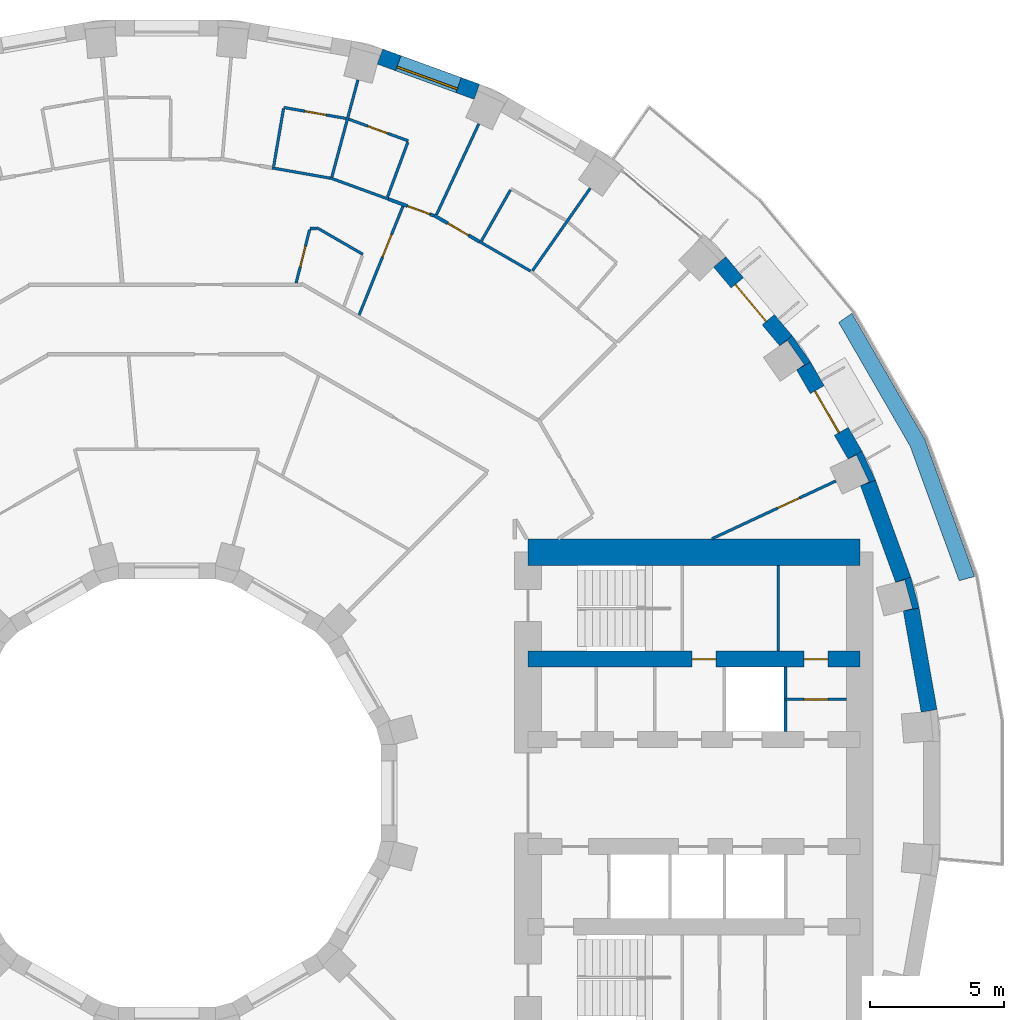
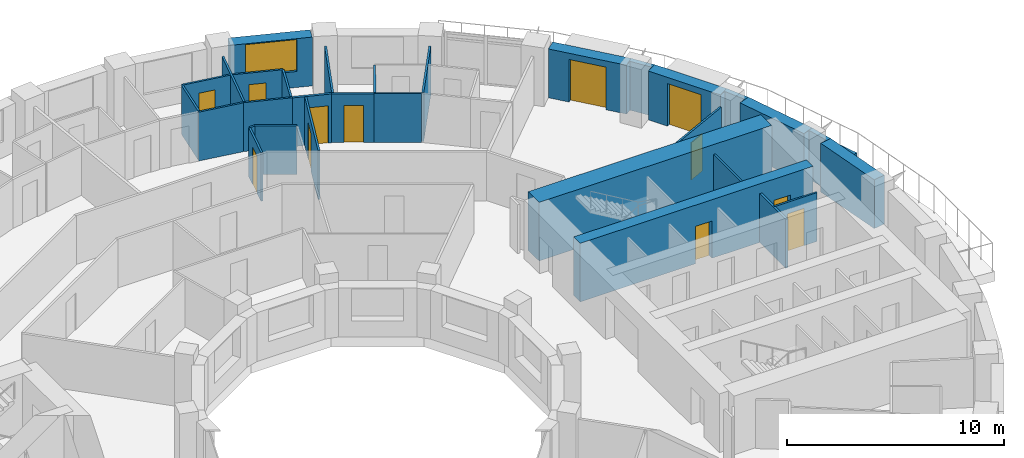
# One storey, part 13 of 15: 32 walls, 12 doors, 1 window, 13 openings.
"""IFC4 building model written with IfcOpenShell, lengths in metres."""

from ifc_helpers import new_model, si_unit, direction, frame, frame_2d, origin, place, context, subcontext, project, spatial, polyline, rectangle, outline, extrude, material, layer, layer_set, type_object, element, fill, save


model = new_model("IFC4")

# Units and contexts
model_context = context("Model", 3, precision=1e-05, world=origin(), true_north=direction((0.0, 1.0)))
body_context = subcontext(model_context, "Body", "Model", "MODEL_VIEW")
ifc_project = project(units=[si_unit("LENGTHUNIT", "METRE"), si_unit("AREAUNIT", "SQUARE_METRE"), si_unit("VOLUMEUNIT", "CUBIC_METRE"), si_unit("PLANEANGLEUNIT", "RADIAN"), si_unit("MASSUNIT", "GRAM", prefix="KILO")], contexts=[model_context])

# Site, building, storey
site_placement = place(None, origin())
site = spatial("IfcSite", under=ifc_project, at=site_placement, CompositionType="ELEMENT")
building_placement = place(site_placement, origin())
building = spatial("IfcBuilding", under=site, at=building_placement, Name="Saqina Gate Tower", CompositionType="ELEMENT")
storey_placement = place(building_placement, frame((0.0, 0.0, 59.300048828125)))
storey = spatial("IfcBuildingStorey", under=building, at=storey_placement, Name="L16", CompositionType="ELEMENT", Elevation=59.300048828125)

# Walls
ifc_material_1 = material(Name="Brick masonry (red)", Category="masonry")
wall_type_1 = type_object("IfcWallType", Name="BRICK PIER COPING RED", PredefinedType="SOLIDWALL", material=ifc_material_1)
wall_1_placement = place(storey_placement, origin())
element("IfcWall", 1, at=wall_1_placement, inside=storey, type_object=wall_type_1, Name="Pier cap L16 column 2", PredefinedType="SOLIDWALL", context=body_context, shape_type="SweptSolid", body=[
    extrude(outline(polyline([(28.11669921875, 6.910400390625), (27.80517578125, 8.073974609375), (27.2412109375, 7.86865234375), (27.57958984375, 7.95947265625), (27.864501953125, 6.896728515625), (27.52587890625, 6.80615234375), (28.11669921875, 6.910400390625)])), origin(), (0.0, 0.0, 1.0), 2.75),
])
wall_2_placement = place(storey_placement, origin())
element("IfcWall", 2, at=wall_2_placement, inside=storey, type_object=wall_type_1, Name="Pier cap L16 column 3", PredefinedType="SOLIDWALL", context=body_context, shape_type="SweptSolid", body=[
    extrude(outline(polyline([(25.980712890625, 12.779541015625), (25.4609375, 12.4794921875), (25.778564453125, 12.627685546875), (26.243408203125, 11.630615234375), (25.92578125, 11.482666015625), (26.48974609375, 11.687744140625), (25.980712890625, 12.779541015625)])), origin(), (0.0, 0.0, 1.0), 2.75),
])
wall_3_placement = place(storey_placement, origin())
element("IfcWall", 3, at=wall_3_placement, inside=storey, type_object=wall_type_1, Name="Pier cap L16 column 4", PredefinedType="SOLIDWALL", context=body_context, shape_type="SweptSolid", body=[
    extrude(outline(polyline([(24.0576171875, 16.110107421875), (23.36669921875, 17.096923828125), (22.9072265625, 16.711181640625), (23.194091796875, 16.912109375), (23.8251953125, 16.010986328125), (23.5380859375, 15.81005859375), (24.0576171875, 16.110107421875)])), origin(), (0.0, 0.0, 1.0), 2.75),
])

# Wall, opening, door
ifc_material_2 = material(Name="Gypsum board on steel studs", Category="steel")
ifc_layer_1 = layer(ifc_material_2, 0.10009765625)
ifc_layer_set_1 = layer_set([ifc_layer_1], Name="CORE PARTITION")
wall_type_2 = type_object("IfcWallType", Name="CORE PARTITION", PredefinedType="PARTITIONING", material=ifc_layer_set_1)
wall_4_placement = place(storey_placement, frame((23.1201171875, 3.5, 0.0), z_axis=(0.0, 0.0, 1.0), x_axis=(1.0, 0.0, 0.0)))
wall_4 = element("IfcWall", 4, at=wall_4_placement, inside=storey, type_object=wall_type_2, Name="L16-CP-E09", PredefinedType="PARTITIONING", context=body_context, shape_type="SweptSolid", body=[
    extrude(rectangle(XDim=2.27978515625, YDim=0.10009765625, at=frame_2d((1.139892578125, 0.0))), origin(), (0.0, 0.0, 1.0), 2.75),
])
opening_1_placement = place(wall_4_placement, frame((0.68994140625, 0.0, 0.0)))
opening_1 = element("IfcOpeningElement", 5, at=opening_1_placement, cuts=wall_4, Name="Opening G04-D96", PredefinedType="OPENING", context=body_context, shape_type="SweptSolid", body=[
    extrude(rectangle(XDim=0.89990234375, YDim=2.10009765625, at=frame_2d((0.449951171875, 1.050048828125))), frame((0.0, 0.06201171875, 0.0), z_axis=(0.0, -1.0, 0.0), x_axis=(1.0, 0.0, 0.0)), (0.0, 0.0, 1.0), 0.1240234375),
])
ifc_material_3 = material(Name="Steel-framed fire door leaf, EI 60", Category="steel")
door_type_1 = type_object("IfcDoorType", Name="SERVICE ROOM DOOR 900", OperationType="SINGLE_SWING_LEFT", PredefinedType="DOOR", material=ifc_material_3)
door_1_placement = place(opening_1_placement, origin())
door_1 = element("IfcDoor", 6, at=door_1_placement, inside=storey, type_object=door_type_1, Name="L16-CD-E07", OperationType="SINGLE_SWING_RIGHT", OverallHeight=2.10009765625, OverallWidth=0.89990234375, PredefinedType="DOOR", context=body_context, shape_type="SweptSolid", body=[
    extrude(rectangle(XDim=0.89990234375, YDim=2.10009765625, at=frame_2d((0.449951171875, 1.050048828125))), frame((0.0, 0.02490234375, 0.0), z_axis=(0.0, -1.0, 0.0), x_axis=(1.0, 0.0, 0.0)), (0.0, 0.0, 1.0), 0.050048828125),
])
fill(opening_1, door_1)

# Wall
wall_5_placement = place(storey_placement, frame((22.846435546875, 5.300048828125, 0.0), z_axis=(0.0, 0.0, 1.0), x_axis=(0.0, 1.0, 0.0)))
element("IfcWall", 7, at=wall_5_placement, inside=storey, type_object=wall_type_2, Name="L16-CP-E11", PredefinedType="PARTITIONING", context=body_context, shape_type="SweptSolid", body=[
    extrude(rectangle(XDim=3.199951171875, YDim=0.10009765625, at=frame_2d((1.60009765625, 0.0))), origin(), (0.0, 0.0, 1.0), 2.75),
])

# Wall, opening, door
ifc_material_4 = material(Name="Brick masonry (red)", Category="masonry")
ifc_layer_2 = layer(ifc_material_4, 0.60009765625)
ifc_layer_set_2 = layer_set([ifc_layer_2], Name="FW-BRICK-RED")
wall_type_3 = type_object("IfcWallType", Name="FW-BRICK-RED", PredefinedType="SOLIDWALL", material=ifc_layer_set_2)
wall_6_placement = place(storey_placement, frame((25.720703125, 12.629638671875, 0.0), z_axis=(0.0, 0.0, 1.0), x_axis=(-0.499989888488, 0.86603124159, 0.0)))
wall_6 = element("IfcWall", 8, at=wall_6_placement, inside=storey, type_object=wall_type_3, Name="Facade wall L16 facet 3", PredefinedType="SOLIDWALL", context=body_context, shape_type="SweptSolid", body=[
    extrude(rectangle(XDim=3.845703125, YDim=0.60009765625, at=frame_2d((1.9228515625, 0.0))), origin(), (0.0, 0.0, 1.0), 2.75),
])
opening_2_placement = place(wall_6_placement, frame((1.02294921875, 0.0, 0.0)))
opening_2 = element("IfcOpeningElement", 9, at=opening_2_placement, cuts=wall_6, Name="Opening G04-D80", PredefinedType="OPENING", context=body_context, shape_type="SweptSolid", body=[
    extrude(rectangle(XDim=1.800048828125, YDim=2.39990234375, at=frame_2d((0.89990234375, 1.199951171875))), frame((0.0, 0.31201171875, 0.0), z_axis=(0.0, -1.0, 0.0), x_axis=(1.0, 0.0, 0.0)), (0.0, 0.0, 1.0), 0.6240234375),
])
ifc_material_5 = material(Name="Aluminium glazing", Category="aluminium")
door_type_2 = type_object("IfcDoorType", Name="GD-A", OperationType="DOUBLE_DOOR_SINGLE_SWING", PredefinedType="DOOR", material=ifc_material_5)
door_2_placement = place(opening_2_placement, origin())
door_2 = element("IfcDoor", 10, at=door_2_placement, inside=storey, type_object=door_type_2, Name="Terrace door L16 facet 3", OperationType="DOUBLE_DOOR_SINGLE_SWING", OverallHeight=2.39990234375, OverallWidth=1.800048828125, PredefinedType="DOOR", context=body_context, shape_type="SweptSolid", body=[
    extrude(rectangle(XDim=1.800048828125, YDim=2.39990234375, at=frame_2d((0.89990234375, 1.199951171875))), frame((0.0, 0.125, 0.0), z_axis=(0.0, -1.0, 0.0), x_axis=(1.0, 0.0, 0.0)), (0.0, 0.0, 1.0), 0.050048828125),
])
fill(opening_2, door_2)

wall_7_placement = place(storey_placement, frame((23.136962890625, 16.904052734375, 0.0), z_axis=(0.0, 0.0, 1.0), x_axis=(-0.642809392687, 0.766026164483, 0.0)))
wall_7 = element("IfcWall", 11, at=wall_7_placement, inside=storey, type_object=wall_type_3, Name="Facade wall L16 facet 4", PredefinedType="SOLIDWALL", context=body_context, shape_type="SweptSolid", body=[
    extrude(rectangle(XDim=3.845947265625, YDim=0.60009765625, at=frame_2d((1.9228515625, 0.0))), origin(), (0.0, 0.0, 1.0), 2.75),
])
opening_3_placement = place(wall_7_placement, frame((1.02294921875, 0.0, 0.0)))
opening_3 = element("IfcOpeningElement", 12, at=opening_3_placement, cuts=wall_7, Name="Opening G04-D81", PredefinedType="OPENING", context=body_context, shape_type="SweptSolid", body=[
    extrude(rectangle(XDim=1.800048828125, YDim=2.39990234375, at=frame_2d((0.89990234375, 1.199951171875))), frame((0.0, 0.31201171875, 0.0), z_axis=(0.0, -1.0, 0.0), x_axis=(1.0, 0.0, 0.0)), (0.0, 0.0, 1.0), 0.6240234375),
])
door_3_placement = place(opening_3_placement, origin())
door_3 = element("IfcDoor", 13, at=door_3_placement, inside=storey, type_object=door_type_2, Name="Terrace door L16 facet 4", OperationType="DOUBLE_DOOR_SINGLE_SWING", OverallHeight=2.39990234375, OverallWidth=1.800048828125, PredefinedType="DOOR", context=body_context, shape_type="SweptSolid", body=[
    extrude(rectangle(XDim=1.800048828125, YDim=2.39990234375, at=frame_2d((0.89990234375, 1.199951171875))), frame((0.0, 0.125, 0.0), z_axis=(0.0, -1.0, 0.0), x_axis=(1.0, 0.0, 0.0)), (0.0, 0.0, 1.0), 0.050048828125),
])
fill(opening_3, door_3)

# Wall, opening, window
wall_8_placement = place(storey_placement, frame((11.585205078125, 26.207763671875, 0.0), z_axis=(0.0, 0.0, 1.0), x_axis=(-0.939689588564, 0.342028474173, 0.0)))
wall_8 = element("IfcWall", 14, at=wall_8_placement, inside=storey, type_object=wall_type_3, Name="Facade wall L16 facet 7", PredefinedType="SOLIDWALL", context=body_context, shape_type="SweptSolid", body=[
    extrude(rectangle(XDim=3.845947265625, YDim=0.60009765625, at=frame_2d((1.9228515625, 0.0))), origin(), (0.0, 0.0, 1.0), 2.75),
])
opening_4_placement = place(wall_8_placement, frame((0.722900390625, 0.0, 0.89990234375)))
opening_4 = element("IfcOpeningElement", 15, at=opening_4_placement, cuts=wall_8, Name="Opening G04-W02", PredefinedType="OPENING", context=body_context, shape_type="SweptSolid", body=[
    extrude(rectangle(XDim=2.39990234375, YDim=1.800048828125, at=frame_2d((1.199951171875, 0.89990234375))), frame((0.0, 0.31201171875, 0.0), z_axis=(0.0, -1.0, 0.0), x_axis=(1.0, 0.0, 0.0)), (0.0, 0.0, 1.0), 0.6240234375),
])
ifc_material_6 = material(Name="Aluminium glazing", Category="aluminium")
window_type = type_object("IfcWindowType", Name="WN-A", PartitioningType="SINGLE_PANEL", PredefinedType="WINDOW", material=ifc_material_6)
window_placement = place(opening_4_placement, origin())
window = element("IfcWindow", 16, at=window_placement, inside=storey, type_object=window_type, Name="Window L16 facet 7", OverallHeight=1.800048828125, OverallWidth=2.39990234375, PartitioningType="SINGLE_PANEL", PredefinedType="WINDOW", context=body_context, shape_type="SweptSolid", body=[
    extrude(rectangle(XDim=2.39990234375, YDim=1.800048828125, at=frame_2d((1.199951171875, 0.89990234375))), frame((0.0, 0.179931640625, 0.0), z_axis=(0.0, -1.0, 0.0), x_axis=(1.0, 0.0, 0.0)), (0.0, 0.0, 1.0), 0.06005859375),
])
fill(opening_4, window)

# Walls
ifc_material_7 = material(Name="Glazed ceramic tile", Category="ceramic")
ifc_layer_3 = layer(ifc_material_7, 0.60009765625)
ifc_layer_set_3 = layer_set([ifc_layer_3], Name="FW-TILE")
wall_type_4 = type_object("IfcWallType", Name="FW-TILE", PredefinedType="SOLIDWALL", material=ifc_layer_set_3)
wall_9_placement = place(storey_placement, frame((28.4892578125, 3.07080078125, 0.0), z_axis=(0.0, 0.0, 1.0), x_axis=(-0.173687553279, 0.984800809218, 0.0)))
element("IfcWall", 17, at=wall_9_placement, inside=storey, type_object=wall_type_4, Name="Facade wall L16 facet 1", PredefinedType="SOLIDWALL", context=body_context, shape_type="SweptSolid", body=[
    extrude(rectangle(XDim=3.845703125, YDim=0.60009765625, at=frame_2d((1.9228515625, 0.0))), origin(), (0.0, 0.0, 1.0), 2.75),
])
ifc_material_8 = material(Name="Glazed ceramic tile (dark blue)", Category="ceramic")
ifc_layer_4 = layer(ifc_material_8, 0.60009765625)
ifc_layer_set_4 = layer_set([ifc_layer_4], Name="FW-TILE-CB")
wall_type_5 = type_object("IfcWallType", Name="FW-TILE-CB", PredefinedType="SOLIDWALL", material=ifc_layer_set_4)
wall_10_placement = place(storey_placement, frame((27.523193359375, 7.97119140625, 0.0), z_axis=(0.0, 0.0, 1.0), x_axis=(-0.342028474173, 0.939689588564, 0.0)))
element("IfcWall", 18, at=wall_10_placement, inside=storey, type_object=wall_type_5, Name="Facade wall L16 facet 2", PredefinedType="SOLIDWALL", context=body_context, shape_type="SweptSolid", body=[
    extrude(rectangle(XDim=3.845947265625, YDim=0.60009765625, at=frame_2d((1.9228515625, 0.0))), origin(), (0.0, 0.0, 1.0), 2.75),
])
ifc_material_9 = material(Name="Gypsum board on steel studs, 100 mm", Category="steel")
ifc_layer_5 = layer(ifc_material_9, 0.10009765625)
ifc_layer_set_5 = layer_set([ifc_layer_5], Name="PARTITION 100")
wall_type_6 = type_object("IfcWallType", Name="PARTITION 100", PredefinedType="PARTITIONING", material=ifc_layer_set_5)
wall_11_placement = place(storey_placement, frame((5.60400390625, 21.12890625, 0.0), z_axis=(0.0, 0.0, 1.0), x_axis=(0.865901665176, -0.500214260339, 0.0)))
element("IfcWall", 19, at=wall_11_placement, inside=storey, type_object=wall_type_6, Name="PARTITION PW3-42", PredefinedType="PARTITIONING", context=body_context, shape_type="SweptSolid", body=[
    extrude(rectangle(XDim=1.990966796875, YDim=0.10009765625, at=frame_2d((0.99560546875, 0.0))), origin(), (0.0, 0.0, 1.0), 2.75),
])
wall_12_placement = place(storey_placement, frame((11.686767578125, 20.60693359375, 0.0), z_axis=(0.0, 0.0, 1.0), x_axis=(0.866150561987, -0.499783156949, 0.0)))
element("IfcWall", 20, at=wall_12_placement, inside=storey, type_object=wall_type_6, Name="PARTITION PW3-43", PredefinedType="PARTITIONING", context=body_context, shape_type="SweptSolid", body=[
    extrude(rectangle(XDim=2.205078125, YDim=0.10009765625, at=frame_2d((1.1025390625, 0.0))), origin(), (0.0, 0.0, 1.0), 2.75),
])
wall_13_placement = place(storey_placement, frame((6.107177734375, 22.9873046875, 0.0), z_axis=(0.0, 0.0, 1.0), x_axis=(0.939734670151, -0.34190459154, 0.0)))
element("IfcWall", 21, at=wall_13_placement, inside=storey, type_object=wall_type_6, Name="PARTITION PW3-49", PredefinedType="PARTITIONING", context=body_context, shape_type="SweptSolid", body=[
    extrude(rectangle(XDim=2.3056640625, YDim=0.10009765625, at=frame_2d((1.15283203125, 0.0))), origin(), (0.0, 0.0, 1.0), 2.75),
])

# Wall, opening, door
wall_14_placement = place(storey_placement, frame((6.799072265625, 25.182861328125, 0.0), z_axis=(0.0, 0.0, 1.0), x_axis=(0.939651971579, -0.342131805461, 0.0)))
wall_14 = element("IfcWall", 22, at=wall_14_placement, inside=storey, type_object=wall_type_6, Name="PARTITION PW3-50", PredefinedType="PARTITIONING", context=body_context, shape_type="SweptSolid", body=[
    extrude(rectangle(XDim=2.369873046875, YDim=0.10009765625, at=frame_2d((1.18505859375, 0.0))), origin(), (0.0, 0.0, 1.0), 2.75),
])
opening_5_placement = place(wall_14_placement, frame((0.760009765625, 0.0, 0.0)))
opening_5 = element("IfcOpeningElement", 23, at=opening_5_placement, cuts=wall_14, Name="Opening G04-D11", PredefinedType="OPENING", context=body_context, shape_type="SweptSolid", body=[
    extrude(rectangle(XDim=0.800048828125, YDim=2.10009765625, at=frame_2d((0.39990234375, 1.050048828125))), frame((0.0, 0.06201171875, 0.0), z_axis=(0.0, -1.0, 0.0), x_axis=(1.0, 0.0, 0.0)), (0.0, 0.0, 1.0), 0.1240234375),
])
ifc_material_10 = material(Name="Timber door leaf, 800 mm", Category="wood")
door_type_3 = type_object("IfcDoorType", Name="DOOR 800 TIMBER", OperationType="SINGLE_SWING_LEFT", PredefinedType="DOOR", material=ifc_material_10)
door_4_placement = place(opening_5_placement, origin())
door_4 = element("IfcDoor", 24, at=door_4_placement, inside=storey, type_object=door_type_3, Name="DOOR G04-D11", OperationType="SINGLE_SWING_LEFT", OverallHeight=2.10009765625, OverallWidth=0.800048828125, PredefinedType="DOOR", context=body_context, shape_type="SweptSolid", body=[
    extrude(rectangle(XDim=0.800048828125, YDim=2.10009765625, at=frame_2d((0.39990234375, 1.050048828125))), frame((0.0, 0.02490234375, 0.0), z_axis=(0.0, -1.0, 0.0), x_axis=(1.0, 0.0, 0.0)), (0.0, 0.0, 1.0), 0.050048828125),
])
fill(opening_5, door_4)

# Wall
wall_15_placement = place(storey_placement, frame((3.933837890625, 23.361572265625, 0.0), z_axis=(0.0, 0.0, 1.0), x_axis=(0.984819200986, -0.173583240462, 0.0)))
element("IfcWall", 25, at=wall_15_placement, inside=storey, type_object=wall_type_6, Name="PARTITION PW3-53", PredefinedType="PARTITIONING", context=body_context, shape_type="SweptSolid", body=[
    extrude(rectangle(XDim=2.205322265625, YDim=0.10009765625, at=frame_2d((1.1025390625, 0.0))), origin(), (0.0, 0.0, 1.0), 2.75),
])

# Wall, opening, door
wall_16_placement = place(storey_placement, frame((4.3701171875, 25.6201171875, 0.0), z_axis=(0.0, 0.0, 1.0), x_axis=(0.984804303523, -0.173667739554, 0.0)))
wall_16 = element("IfcWall", 26, at=wall_16_placement, inside=storey, type_object=wall_type_6, Name="PARTITION PW3-54", PredefinedType="PARTITIONING", context=body_context, shape_type="SweptSolid", body=[
    extrude(rectangle(XDim=2.36865234375, YDim=0.10009765625, at=frame_2d((1.184326171875, 0.0))), origin(), (0.0, 0.0, 1.0), 2.75),
])
opening_6_placement = place(wall_16_placement, frame((0.809326171875, 0.0, 0.0)))
opening_6 = element("IfcOpeningElement", 27, at=opening_6_placement, cuts=wall_16, Name="Opening G04-D13", PredefinedType="OPENING", context=body_context, shape_type="SweptSolid", body=[
    extrude(rectangle(XDim=0.800048828125, YDim=2.10009765625, at=frame_2d((0.39990234375, 1.050048828125))), frame((0.0, 0.06201171875, 0.0), z_axis=(0.0, -1.0, 0.0), x_axis=(1.0, 0.0, 0.0)), (0.0, 0.0, 1.0), 0.1240234375),
])
door_5_placement = place(opening_6_placement, origin())
door_5 = element("IfcDoor", 28, at=door_5_placement, inside=storey, type_object=door_type_3, Name="DOOR G04-D13", OperationType="SINGLE_SWING_RIGHT", OverallHeight=2.10009765625, OverallWidth=0.800048828125, PredefinedType="DOOR", context=body_context, shape_type="SweptSolid", body=[
    extrude(rectangle(XDim=0.800048828125, YDim=2.10009765625, at=frame_2d((0.39990234375, 1.050048828125))), frame((0.0, 0.02490234375, 0.0), z_axis=(0.0, -1.0, 0.0), x_axis=(1.0, 0.0, 0.0)), (0.0, 0.0, 1.0), 0.050048828125),
])
fill(opening_6, door_5)

# Wall
wall_17_placement = place(storey_placement, frame((5.35107421875, 21.10009765625, 0.0), z_axis=(0.0, 0.0, 1.0), x_axis=(1.0, 0.0, 0.0)))
element("IfcWall", 29, at=wall_17_placement, inside=storey, type_object=wall_type_6, Name="PARTITION PW3-60", PredefinedType="PARTITIONING", context=body_context, shape_type="SweptSolid", body=[
    extrude(rectangle(XDim=0.2529296875, YDim=0.10009765625, at=frame_2d((0.12646484375, 0.0))), origin(), (0.0, 0.0, 1.0), 2.75),
])

# Wall, opening, door
wall_18_placement = place(storey_placement, frame((20.373046875, 9.500244140625, 0.0), z_axis=(0.0, 0.0, 1.0), x_axis=(0.906330751784, 0.422569010187, 0.0)))
wall_18 = element("IfcWall", 30, at=wall_18_placement, inside=storey, type_object=wall_type_6, Name="PARTITION PW3-71", PredefinedType="PARTITIONING", context=body_context, shape_type="SweptSolid", body=[
    extrude(rectangle(XDim=5.11083984375, YDim=0.10009765625, at=frame_2d((2.555419921875, 0.0))), origin(), (0.0, 0.0, 1.0), 2.75),
])
opening_7_placement = place(wall_18_placement, frame((2.709228515625, 0.0, 0.0)))
opening_7 = element("IfcOpeningElement", 31, at=opening_7_placement, cuts=wall_18, Name="Opening G04-D01", PredefinedType="OPENING", context=body_context, shape_type="SweptSolid", body=[
    extrude(rectangle(XDim=0.89990234375, YDim=2.10009765625, at=frame_2d((0.449951171875, 1.050048828125))), frame((0.0, 0.06201171875, 0.0), z_axis=(0.0, -1.0, 0.0), x_axis=(1.0, 0.0, 0.0)), (0.0, 0.0, 1.0), 0.1240234375),
])
ifc_material_11 = material(Name="Timber door leaf, 900 mm", Category="wood")
door_type_4 = type_object("IfcDoorType", Name="DOOR 900 TIMBER", OperationType="SINGLE_SWING_LEFT", PredefinedType="DOOR", material=ifc_material_11)
door_6_placement = place(opening_7_placement, origin())
door_6 = element("IfcDoor", 32, at=door_6_placement, inside=storey, type_object=door_type_4, Name="DOOR G04-D01", OperationType="SINGLE_SWING_RIGHT", OverallHeight=2.10009765625, OverallWidth=0.89990234375, PredefinedType="DOOR", context=body_context, shape_type="SweptSolid", body=[
    extrude(rectangle(XDim=0.89990234375, YDim=2.10009765625, at=frame_2d((0.449951171875, 1.050048828125))), frame((0.0, 0.02490234375, 0.0), z_axis=(0.0, -1.0, 0.0), x_axis=(1.0, 0.0, 0.0)), (0.0, 0.0, 1.0), 0.050048828125),
])
fill(opening_7, door_6)

# Walls
wall_19_placement = place(storey_placement, frame((13.668701171875, 19.52099609375, 0.0), z_axis=(0.0, 0.0, 1.0), x_axis=(0.573558226361, 0.81916479476, 0.0)))
element("IfcWall", 33, at=wall_19_placement, inside=storey, type_object=wall_type_6, Name="PARTITION PW3-89", PredefinedType="PARTITIONING", context=body_context, shape_type="SweptSolid", body=[
    extrude(rectangle(XDim=3.759521484375, YDim=0.10009765625, at=frame_2d((1.8798828125, 0.0))), origin(), (0.0, 0.0, 1.0), 2.75),
])
wall_20_placement = place(storey_placement, frame((11.760986328125, 20.63623046875, 0.0), z_axis=(0.0, 0.0, 1.0), x_axis=(0.495213152806, 0.868771508101, 0.0)))
element("IfcWall", 34, at=wall_20_placement, inside=storey, type_object=wall_type_6, Name="PARTITION PW3-97", PredefinedType="PARTITIONING", context=body_context, shape_type="SweptSolid", body=[
    extrude(rectangle(XDim=2.1875, YDim=0.10009765625, at=frame_2d((1.09375, 0.0))), origin(), (0.0, 0.0, 1.0), 2.75),
])
wall_21_placement = place(storey_placement, frame((10.076904296875, 21.6083984375, 0.0), z_axis=(0.0, 0.0, 1.0), x_axis=(0.422418199687, 0.906401050624, 0.0)))
element("IfcWall", 35, at=wall_21_placement, inside=storey, type_object=wall_type_6, Name="PARTITION PW3-98", PredefinedType="PARTITIONING", context=body_context, shape_type="SweptSolid", body=[
    extrude(rectangle(XDim=3.74755859375, YDim=0.10009765625, at=frame_2d((1.873779296875, 0.0))), origin(), (0.0, 0.0, 1.0), 2.75),
])

# Wall, opening, door
wall_22_placement = place(storey_placement, frame((7.188232421875, 17.861083984375, 0.0), z_axis=(0.0, 0.0, 1.0), x_axis=(0.373452567141, 0.927649276449, 0.0)))
wall_22 = element("IfcWall", 36, at=wall_22_placement, inside=storey, type_object=wall_type_6, Name="PARTITION PW3-99", PredefinedType="PARTITIONING", context=body_context, shape_type="SweptSolid", body=[
    extrude(rectangle(XDim=4.38720703125, YDim=0.10009765625, at=frame_2d((2.193603515625, 0.0))), origin(), (0.0, 0.0, 1.0), 2.75),
])
opening_8_placement = place(wall_22_placement, frame((2.34375, 0.0, 0.0)))
opening_8 = element("IfcOpeningElement", 37, at=opening_8_placement, cuts=wall_22, Name="Opening G04-D10", PredefinedType="OPENING", context=body_context, shape_type="SweptSolid", body=[
    extrude(rectangle(XDim=0.89990234375, YDim=2.10009765625, at=frame_2d((0.449951171875, 1.050048828125))), frame((0.0, 0.06201171875, 0.0), z_axis=(0.0, -1.0, 0.0), x_axis=(1.0, 0.0, 0.0)), (0.0, 0.0, 1.0), 0.1240234375),
])
door_7_placement = place(opening_8_placement, origin())
door_7 = element("IfcDoor", 38, at=door_7_placement, inside=storey, type_object=door_type_4, Name="DOOR G04-D10", OperationType="SINGLE_SWING_LEFT", OverallHeight=2.10009765625, OverallWidth=0.89990234375, PredefinedType="DOOR", context=body_context, shape_type="SweptSolid", body=[
    extrude(rectangle(XDim=0.89990234375, YDim=2.10009765625, at=frame_2d((0.449951171875, 1.050048828125))), frame((0.0, 0.02490234375, 0.0), z_axis=(0.0, -1.0, 0.0), x_axis=(1.0, 0.0, 0.0)), (0.0, 0.0, 1.0), 0.050048828125),
])
fill(opening_8, door_7)

# Walls
wall_23_placement = place(storey_placement, frame((8.248779296875, 22.274658203125, 0.0), z_axis=(0.0, 0.0, 1.0), x_axis=(0.347437983371, 0.937702963476, 0.0)))
element("IfcWall", 39, at=wall_23_placement, inside=storey, type_object=wall_type_6, Name="PARTITION PW3-100", PredefinedType="PARTITIONING", context=body_context, shape_type="SweptSolid", body=[
    extrude(rectangle(XDim=2.186767578125, YDim=0.10009765625, at=frame_2d((1.09326171875, 0.0))), origin(), (0.0, 0.0, 1.0), 2.75),
])
wall_24_placement = place(storey_placement, frame((6.16796875, 23.018310546875, 0.0), z_axis=(0.0, 0.0, 1.0), x_axis=(0.259367918518, 0.965778588934, 0.0)))
element("IfcWall", 40, at=wall_24_placement, inside=storey, type_object=wall_type_6, Name="PARTITION PW3-105", PredefinedType="PARTITIONING", context=body_context, shape_type="SweptSolid", body=[
    extrude(rectangle(XDim=3.759521484375, YDim=0.10009765625, at=frame_2d((1.8798828125, 0.0))), origin(), (0.0, 0.0, 1.0), 2.75),
])

# Wall, opening, door
wall_25_placement = place(storey_placement, frame((4.834228515625, 19.060546875, 0.0), z_axis=(0.0, 0.0, 1.0), x_axis=(0.245583064142, 0.969375550861, 0.0)))
wall_25 = element("IfcWall", 41, at=wall_25_placement, inside=storey, type_object=wall_type_6, Name="PARTITION PW3-108", PredefinedType="PARTITIONING", context=body_context, shape_type="SweptSolid", body=[
    extrude(rectangle(XDim=2.053955078125, YDim=0.10009765625, at=frame_2d((1.02685546875, 0.0))), origin(), (0.0, 0.0, 1.0), 2.75),
])
opening_9_placement = place(wall_25_placement, frame((0.62060546875, 0.0, 0.0)))
opening_9 = element("IfcOpeningElement", 42, at=opening_9_placement, cuts=wall_25, Name="Opening G04-D12", PredefinedType="OPENING", context=body_context, shape_type="SweptSolid", body=[
    extrude(rectangle(XDim=0.800048828125, YDim=2.10009765625, at=frame_2d((0.39990234375, 1.050048828125))), frame((0.0, 0.06201171875, 0.0), z_axis=(0.0, -1.0, 0.0), x_axis=(1.0, 0.0, 0.0)), (0.0, 0.0, 1.0), 0.1240234375),
])
door_8_placement = place(opening_9_placement, origin())
door_8 = element("IfcDoor", 43, at=door_8_placement, inside=storey, type_object=door_type_3, Name="DOOR G04-D12", OperationType="SINGLE_SWING_LEFT", OverallHeight=2.10009765625, OverallWidth=0.800048828125, PredefinedType="DOOR", context=body_context, shape_type="SweptSolid", body=[
    extrude(rectangle(XDim=0.800048828125, YDim=2.10009765625, at=frame_2d((0.39990234375, 1.050048828125))), frame((0.0, 0.02490234375, 0.0), z_axis=(0.0, -1.0, 0.0), x_axis=(1.0, 0.0, 0.0)), (0.0, 0.0, 1.0), 0.050048828125),
])
fill(opening_9, door_8)

# Wall
wall_26_placement = place(storey_placement, frame((3.993408203125, 23.41455078125, 0.0), z_axis=(0.0, 0.0, 1.0), x_axis=(0.1683070432, 0.985734619058, 0.0)))
element("IfcWall", 44, at=wall_26_placement, inside=storey, type_object=wall_type_6, Name="PARTITION PW3-110", PredefinedType="PARTITIONING", context=body_context, shape_type="SweptSolid", body=[
    extrude(rectangle(XDim=2.1875, YDim=0.10009765625, at=frame_2d((1.09375, 0.0))), origin(), (0.0, 0.0, 1.0), 2.75),
])

# Wall, opening, door
ifc_material_12 = material(Name="Gypsum board on steel studs, 125 mm, fire rated", Category="steel")
ifc_layer_6 = layer(ifc_material_12, 0.125)
ifc_layer_set_6 = layer_set([ifc_layer_6], Name="PARTITION EI 30 125")
wall_type_7 = type_object("IfcWallType", Name="PARTITION EI 30 125", PredefinedType="PARTITIONING", material=ifc_layer_set_6)
wall_27_placement = place(storey_placement, frame((9.9951171875, 21.583740234375, 0.0), z_axis=(0.0, 0.0, 1.0), x_axis=(0.865996179119, -0.50005061519, 0.0)))
wall_27 = element("IfcWall", 45, at=wall_27_placement, inside=storey, type_object=wall_type_7, Name="PARTITION PW1-14", PredefinedType="PARTITIONING", context=body_context, shape_type="SweptSolid", body=[
    extrude(rectangle(XDim=1.953369140625, YDim=0.125, at=frame_2d((0.9765625, 0.0))), origin(), (0.0, 0.0, 1.0), 2.75),
])
opening_10_placement = place(wall_27_placement, frame((0.58349609375, 0.0, 0.0)))
opening_10 = element("IfcOpeningElement", 46, at=opening_10_placement, cuts=wall_27, Name="Opening G04-D08", PredefinedType="OPENING", context=body_context, shape_type="SweptSolid", body=[
    extrude(rectangle(XDim=0.89990234375, YDim=2.10009765625, at=frame_2d((0.449951171875, 1.050048828125))), frame((0.0, 0.074462890625, 0.0), z_axis=(0.0, -1.0, 0.0), x_axis=(1.0, 0.0, 0.0)), (0.0, 0.0, 1.0), 0.14892578125),
])
ifc_material_13 = material(Name="Fire door leaf EI 30, 900 mm")
door_type_5 = type_object("IfcDoorType", Name="DOOR 900 EI 30", OperationType="SINGLE_SWING_LEFT", PredefinedType="DOOR", material=ifc_material_13)
door_9_placement = place(opening_10_placement, frame((0.89990234375, 0.0, 0.0), z_axis=(0.0, 0.0, 1.0), x_axis=(-1.0, 0.0, 0.0)))
door_9 = element("IfcDoor", 47, at=door_9_placement, inside=storey, type_object=door_type_5, Name="DOOR G04-D08", OperationType="SINGLE_SWING_RIGHT", OverallHeight=2.10009765625, OverallWidth=0.89990234375, PredefinedType="DOOR", context=body_context, shape_type="SweptSolid", body=[
    extrude(rectangle(XDim=0.89990234375, YDim=2.10009765625, at=frame_2d((0.449951171875, 1.050048828125))), frame((0.0, 0.02490234375, 0.0), z_axis=(0.0, -1.0, 0.0), x_axis=(1.0, 0.0, 0.0)), (0.0, 0.0, 1.0), 0.050048828125),
])
fill(opening_10, door_9)

wall_28_placement = place(storey_placement, frame((8.27392578125, 22.198974609375, 0.0), z_axis=(0.0, 0.0, 1.0), x_axis=(0.939613884944, -0.342236390848, 0.0)))
wall_28 = element("IfcWall", 48, at=wall_28_placement, inside=storey, type_object=wall_type_7, Name="PARTITION PW1-18", PredefinedType="PARTITIONING", context=body_context, shape_type="SweptSolid", body=[
    extrude(rectangle(XDim=1.82763671875, YDim=0.125, at=frame_2d((0.913818359375, 0.0))), origin(), (0.0, 0.0, 1.0), 2.75),
])
opening_11_placement = place(wall_28_placement, frame((0.77001953125, 0.0, 0.0)))
opening_11 = element("IfcOpeningElement", 49, at=opening_11_placement, cuts=wall_28, Name="Opening G04-D09", PredefinedType="OPENING", context=body_context, shape_type="SweptSolid", body=[
    extrude(rectangle(XDim=0.89990234375, YDim=2.10009765625, at=frame_2d((0.449951171875, 1.050048828125))), frame((0.0, 0.074462890625, 0.0), z_axis=(0.0, -1.0, 0.0), x_axis=(1.0, 0.0, 0.0)), (0.0, 0.0, 1.0), 0.14892578125),
])
door_10_placement = place(opening_11_placement, frame((0.89990234375, 0.0, 0.0), z_axis=(0.0, 0.0, 1.0), x_axis=(-1.0, 0.0, 0.0)))
door_10 = element("IfcDoor", 50, at=door_10_placement, inside=storey, type_object=door_type_5, Name="DOOR G04-D09", OperationType="SINGLE_SWING_RIGHT", OverallHeight=2.10009765625, OverallWidth=0.89990234375, PredefinedType="DOOR", context=body_context, shape_type="SweptSolid", body=[
    extrude(rectangle(XDim=0.89990234375, YDim=2.10009765625, at=frame_2d((0.449951171875, 1.050048828125))), frame((0.0, 0.02490234375, 0.0), z_axis=(0.0, -1.0, 0.0), x_axis=(1.0, 0.0, 0.0)), (0.0, 0.0, 1.0), 0.050048828125),
])
fill(opening_11, door_10)

# Walls
ifc_material_14 = material(Name="Brick masonry (red)", Category="masonry")
ifc_layer_7 = layer(ifc_material_14, 0.60009765625)
ifc_layer_set_7 = layer_set([ifc_layer_7], Name="PL-PLANTER")
wall_type_8 = type_object("IfcWallType", Name="PL-PLANTER", PredefinedType="PARAPET", material=ifc_layer_set_7)
wall_29_placement = place(storey_placement, origin())
element("IfcWall", 51, at=wall_29_placement, inside=storey, type_object=wall_type_8, Name="Planter L16", PredefinedType="PARAPET", context=body_context, shape_type="SweptSolid", body=[
    extrude(outline(polyline([(30.193603515625, 8.09033203125), (28.329833984375, 13.21044921875), (25.60546875, 17.92919921875), (25.1123046875, 17.583740234375), (27.783935546875, 12.955810546875), (29.61181640625, 7.934326171875), (30.193603515625, 8.09033203125)])), origin(), (0.0, 0.0, 1.0), 0.5),
])
ifc_material_15 = material(Name="Autoclaved aerated concrete block", Category="concrete")
ifc_layer_8 = layer(ifc_material_15, 0.1201171875)
ifc_layer_set_8 = layer_set([ifc_layer_8], Name="SHAFT PARTITION")
wall_type_9 = type_object("IfcWallType", Name="SHAFT PARTITION", PredefinedType="PARTITIONING", material=ifc_layer_set_8)
wall_30_placement = place(storey_placement, frame((23.1201171875, 2.300048828125, 0.0), z_axis=(0.0, 0.0, 1.0), x_axis=(0.0, 1.0, 0.0)))
element("IfcWall", 52, at=wall_30_placement, inside=storey, type_object=wall_type_9, Name="L16-CP-E04", PredefinedType="PARTITIONING", context=body_context, shape_type="SweptSolid", body=[
    extrude(rectangle(XDim=2.39990234375, YDim=0.1201171875, at=frame_2d((1.199951171875, 0.0))), origin(), (0.0, 0.0, 1.0), 2.75),
])

# Wall, openings, doors
ifc_material_16 = material(Name="Concrete C70/85", Category="concrete")
ifc_layer_9 = layer(ifc_material_16, 0.60009765625)
ifc_layer_set_9 = layer_set([ifc_layer_9], Name="Concrete C70/85")
wall_type_10 = type_object("IfcWallType", Name="STR-CORE WALL-A-I", PredefinedType="SHEAR", material=ifc_layer_set_9)
wall_31_placement = place(storey_placement, frame((13.5, 5.0, 0.0), z_axis=(0.0, 0.0, 1.0), x_axis=(1.0, 0.0, 0.0)))
wall_31 = element("IfcWall", 53, at=wall_31_placement, inside=storey, type_object=wall_type_10, Name="CORE WALL L16 E-X1", PredefinedType="SHEAR", context=body_context, shape_type="SweptSolid", body=[
    extrude(rectangle(XDim=12.39990234375, YDim=0.60009765625, at=frame_2d((6.199951171875, 0.0))), origin(), (0.0, 0.0, 1.0), 3.300048828125),
])
opening_12_placement = place(wall_31_placement, frame((6.1298828125, 0.0, 0.0)))
opening_12 = element("IfcOpeningElement", 54, at=opening_12_placement, cuts=wall_31, Name="Opening G04-D97", PredefinedType="OPENING", context=body_context, shape_type="SweptSolid", body=[
    extrude(rectangle(XDim=0.89990234375, YDim=2.10009765625, at=frame_2d((0.449951171875, 1.050048828125))), frame((0.0, 0.31201171875, 0.0), z_axis=(0.0, -1.0, 0.0), x_axis=(1.0, 0.0, 0.0)), (0.0, 0.0, 1.0), 0.6240234375),
])
opening_13_placement = place(wall_31_placement, frame((10.31005859375, 0.0, 0.0)))
opening_13 = element("IfcOpeningElement", 55, at=opening_13_placement, cuts=wall_31, Name="Opening G04-D98", PredefinedType="OPENING", context=body_context, shape_type="SweptSolid", body=[
    extrude(rectangle(XDim=0.89990234375, YDim=2.10009765625, at=frame_2d((0.449951171875, 1.050048828125))), frame((0.0, 0.31201171875, 0.0), z_axis=(0.0, -1.0, 0.0), x_axis=(1.0, 0.0, 0.0)), (0.0, 0.0, 1.0), 0.6240234375),
])
door_11_placement = place(opening_12_placement, origin())
door_11 = element("IfcDoor", 56, at=door_11_placement, inside=storey, type_object=door_type_1, Name="L16-CD-E08", OperationType="SINGLE_SWING_LEFT", OverallHeight=2.10009765625, OverallWidth=0.89990234375, PredefinedType="DOOR", context=body_context, shape_type="SweptSolid", body=[
    extrude(rectangle(XDim=0.89990234375, YDim=2.10009765625, at=frame_2d((0.449951171875, 1.050048828125))), frame((0.0, 0.02490234375, 0.0), z_axis=(0.0, -1.0, 0.0), x_axis=(1.0, 0.0, 0.0)), (0.0, 0.0, 1.0), 0.050048828125),
])
fill(opening_12, door_11)
door_12_placement = place(opening_13_placement, origin())
door_12 = element("IfcDoor", 57, at=door_12_placement, inside=storey, type_object=door_type_1, Name="L16-CD-E09", OperationType="SINGLE_SWING_RIGHT", OverallHeight=2.10009765625, OverallWidth=0.89990234375, PredefinedType="DOOR", context=body_context, shape_type="SweptSolid", body=[
    extrude(rectangle(XDim=0.89990234375, YDim=2.10009765625, at=frame_2d((0.449951171875, 1.050048828125))), frame((0.0, 0.02490234375, 0.0), z_axis=(0.0, -1.0, 0.0), x_axis=(1.0, 0.0, 0.0)), (0.0, 0.0, 1.0), 0.050048828125),
])
fill(opening_13, door_12)

# Wall
ifc_material_17 = material(Name="Concrete C70/85", Category="concrete")
ifc_layer_10 = layer(ifc_material_17, 1.0)
ifc_layer_set_10 = layer_set([ifc_layer_10], Name="Concrete C70/85")
wall_type_11 = type_object("IfcWallType", Name="STR-CORE WALL-A-O", PredefinedType="SHEAR", material=ifc_layer_set_10)
wall_32_placement = place(storey_placement, frame((13.5, 9.0, 0.0), z_axis=(0.0, 0.0, 1.0), x_axis=(1.0, 0.0, 0.0)))
element("IfcWall", 58, at=wall_32_placement, inside=storey, type_object=wall_type_11, Name="CORE WALL L16 E-NE", PredefinedType="SHEAR", context=body_context, shape_type="SweptSolid", body=[
    extrude(rectangle(XDim=12.39990234375, YDim=1.0, at=frame_2d((6.199951171875, 0.0))), origin(), (0.0, 0.0, 1.0), 3.300048828125),
])

save(model, "model.ifc")
